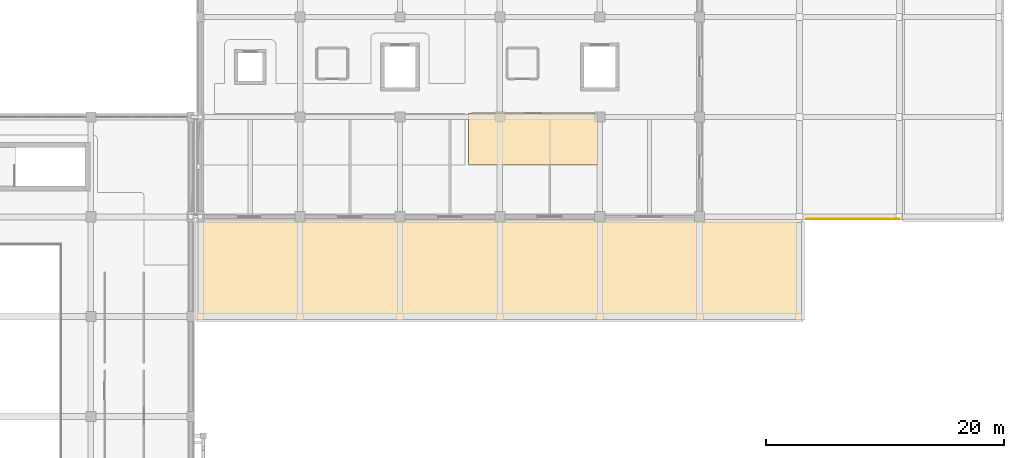
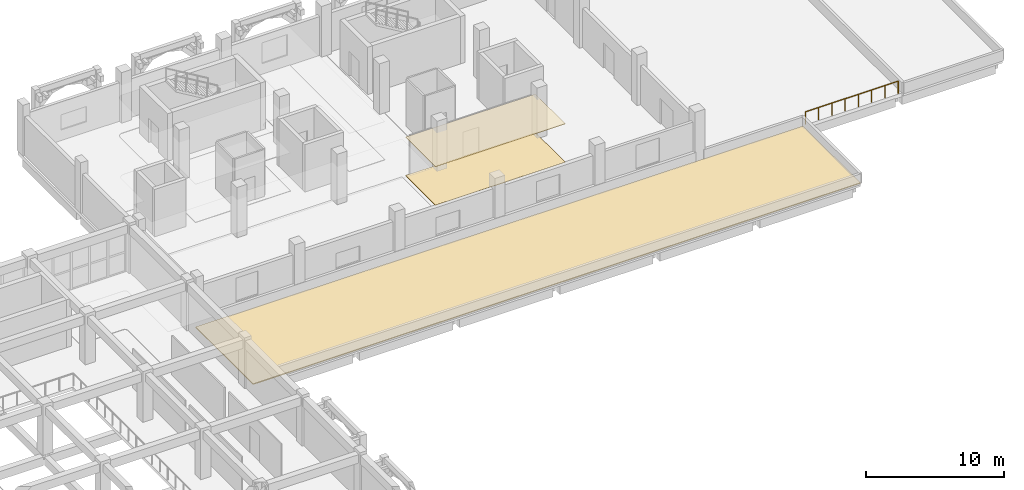
# One storey, part 126 of 129: 3 coverings, 1 railing.
"""IFC4 building model written with IfcOpenShell, lengths in metres."""

from ifc_helpers import new_model, si_unit, direction, frame, origin, origin_2d, place, context, subcontext, project, spatial, polyline, circle, outline, extrude, material, layer, layer_set, type_object, element, save


model = new_model("IFC4")

# Units and contexts
model_context = context("Model", 3, precision=1e-05, world=origin(), true_north=direction((0.0, 1.0)))
body_context = subcontext(model_context, "Body", "Model", "MODEL_VIEW")
ifc_project = project(units=[si_unit("LENGTHUNIT", "METRE"), si_unit("AREAUNIT", "SQUARE_METRE"), si_unit("VOLUMEUNIT", "CUBIC_METRE"), si_unit("PLANEANGLEUNIT", "RADIAN"), si_unit("MASSUNIT", "GRAM", prefix="KILO")], contexts=[model_context])

# Site, building, storey
site_placement = place(None, origin())
site = spatial("IfcSite", under=ifc_project, at=site_placement, CompositionType="ELEMENT")
building_placement = place(site_placement, origin())
building = spatial("IfcBuilding", under=site, at=building_placement, Name="Xazarin Passage Department Store", CompositionType="ELEMENT")
storey_placement = place(building_placement, frame((0.0, 0.0, 9.89990234375)))
storey = spatial("IfcBuildingStorey", under=building, at=storey_placement, Name="L02", CompositionType="ELEMENT", Elevation=9.89990234375)

# Coverings
ifc_material_1 = material(Name="Acoustic mineral ceiling")
ifc_layer_1 = layer(ifc_material_1, 0.0400390625)
ifc_layer_set_1 = layer_set([ifc_layer_1], Name="Acoustic mineral ceiling")
covering_type_1 = type_object("IfcCoveringType", Name="ARC-COV-CLG040", PredefinedType="CEILING", material=ifc_layer_set_1)
covering_1_placement = place(storey_placement, frame((0.0, 0.0, 3.41015625)))
element("IfcCovering", 1, at=covering_1_placement, inside=storey, type_object=covering_type_1, Name="L02 Visual Props Workshop Acoustic Ceiling", PredefinedType="CEILING", context=body_context, shape_type="SweptSolid", body=[
    extrude(outline(polyline([(135.85009765625, 93.5), (124.949951171875, 93.5), (124.949951171875, 89.14990234375), (135.85009765625, 89.14990234375), (135.85009765625, 93.5)])), origin(), (0.0, 0.0, 1.0), 0.0400390625),
])
ifc_material_2 = material(Name="Terrazzo stone flooring", Category="masonry")
ifc_layer_2 = layer(ifc_material_2, 0.034912109375)
ifc_layer_set_2 = layer_set([ifc_layer_2], Name="Terrazzo stone flooring")
covering_type_2 = type_object("IfcCoveringType", Name="ARC-COV-FLR035", PredefinedType="FLOORING", material=ifc_layer_set_2)
covering_2_placement = place(storey_placement, origin())
element("IfcCovering", 2, at=covering_2_placement, inside=storey, type_object=covering_type_2, Name="L02 Visual Props Workshop Terrazzo Flooring", PredefinedType="FLOORING", context=body_context, shape_type="SweptSolid", body=[
    extrude(outline(polyline([(135.85009765625, 93.5), (124.949951171875, 93.5), (124.949951171875, 89.14990234375), (135.85009765625, 89.14990234375), (135.85009765625, 93.5)])), origin(), (0.0, 0.0, 1.0), 0.03515625),
])
ifc_material_3 = material(Name="Insulated waterproof roofing membrane")
ifc_layer_3 = layer(ifc_material_3, 0.080078125)
ifc_layer_set_3 = layer_set([ifc_layer_3], Name="Insulated waterproof roofing membrane")
covering_type_3 = type_object("IfcCoveringType", Name="ARC-COV-RFG080", PredefinedType="ROOFING", material=ifc_layer_set_3)
covering_3_placement = place(storey_placement, origin())
element("IfcCovering", 3, at=covering_3_placement, inside=storey, type_object=covering_type_3, Name="L02 Insulated Roofing Membrane SLB-V4-L02-STEP-1", PredefinedType="ROOFING", context=body_context, shape_type="SweptSolid", body=[
    extrude(outline(polyline([(153.10009765625, 76.10009765625), (153.10009765625, 84.449951171875), (144.699951171875, 84.449951171875), (144.050048828125, 84.449951171875), (102.10009765625, 84.449951171875), (102.10009765625, 76.10009765625), (153.10009765625, 76.10009765625)])), origin(), (0.0, 0.0, 1.0), 0.080078125),
])

# Railing
ifc_material_4 = material(Name="Steel S355", Category="steel")
railing_type = type_object("IfcRailingType", Name="ARC-RL-GRD112", PredefinedType="GUARDRAIL", material=ifc_material_4)
railing_placement = place(storey_placement, frame((161.199951171875, 84.6298828125, 0.0)))
element("IfcRailing", 4, at=railing_placement, inside=storey, type_object=railing_type, Name="L02 Roof Terrace Perimeter Guard 0011", PredefinedType="GUARDRAIL", context=body_context, shape_type="SweptSolid", body=[
    extrude(circle(Radius=0.02392578125, at=origin_2d()), frame((0.0, 0.0, 1.09619140625), z_axis=(-1.0, 0.0, 0.0), x_axis=(0.0, -1.0, 0.0)), (0.0, 0.0, 1.0), 7.80029296875),
    extrude(circle(Radius=0.02099609375, at=origin_2d()), origin(), (0.0, 0.0, 1.0), 1.07177734375),
    extrude(circle(Radius=0.02099609375, at=origin_2d()), frame((-1.1142578125, 0.0, 0.0)), (0.0, 0.0, 1.0), 1.07177734375),
    extrude(circle(Radius=0.02099609375, at=origin_2d()), frame((-2.228759765625, 0.0, 0.0)), (0.0, 0.0, 1.0), 1.07177734375),
    extrude(circle(Radius=0.02099609375, at=origin_2d()), frame((-3.343017578125, 0.0, 0.0)), (0.0, 0.0, 1.0), 1.07177734375),
    extrude(circle(Radius=0.02099609375, at=origin_2d()), frame((-4.457275390625, 0.0, 0.0)), (0.0, 0.0, 1.0), 1.07177734375),
    extrude(circle(Radius=0.02099609375, at=origin_2d()), frame((-5.571533203125, 0.0, 0.0)), (0.0, 0.0, 1.0), 1.07177734375),
    extrude(circle(Radius=0.02099609375, at=origin_2d()), frame((-6.68603515625, 0.0, 0.0)), (0.0, 0.0, 1.0), 1.07177734375),
    extrude(circle(Radius=0.02099609375, at=origin_2d()), frame((-7.80029296875, 0.0, 0.0)), (0.0, 0.0, 1.0), 1.07177734375),
])

save(model, "model.ifc")
